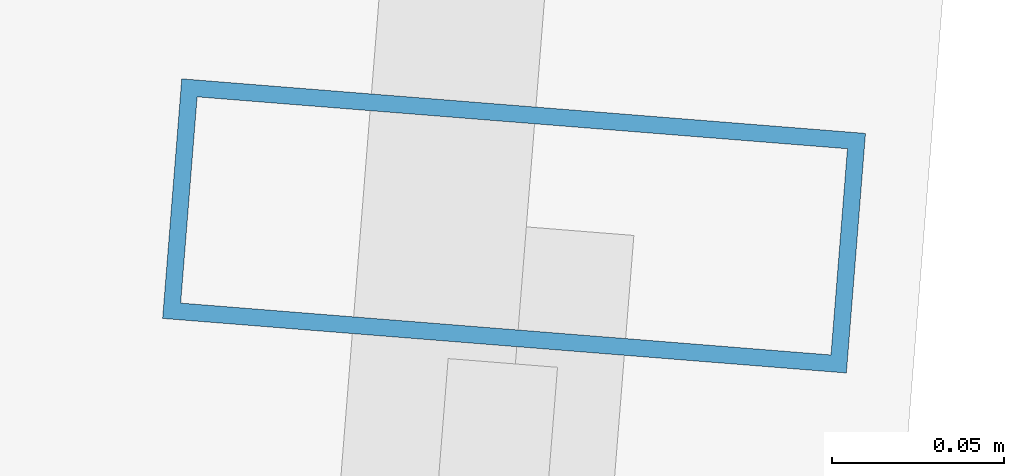
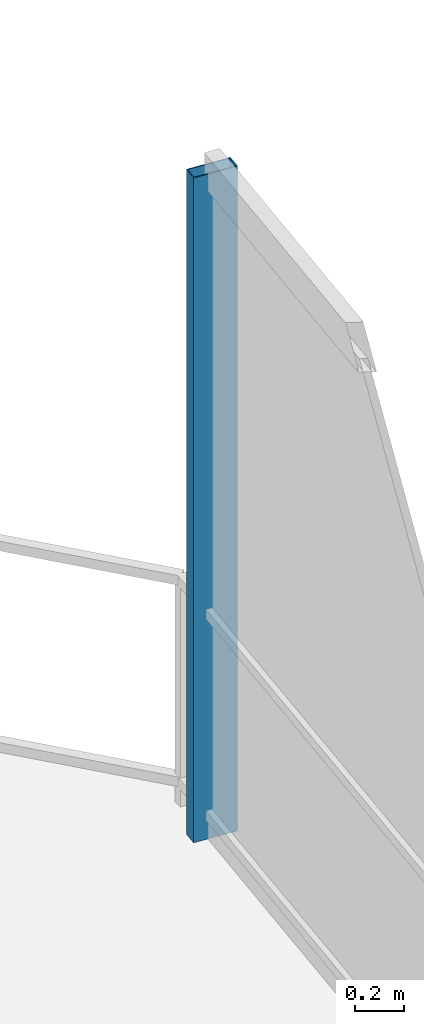
# One storey, part 15 of 21: 1 member, 1 element without a shape of its own.
"""IFC4 building model written with IfcOpenShell, lengths in metres."""

from ifc_helpers import new_model, si_unit, direction, frame, origin, origin_2d, place, context, subcontext, project, spatial, hollow_rectangle, extrude, material, layer, layer_set, material_profile, profile_set, type_object, element, aggregate, save


model = new_model("IFC4")

# Units and contexts
model_context = context("Model", 3, precision=1e-05, world=origin(), true_north=direction((0.0, 1.0)))
body_context = subcontext(model_context, "Body", "Model", "MODEL_VIEW")
ifc_project = project(units=[si_unit("LENGTHUNIT", "METRE"), si_unit("AREAUNIT", "SQUARE_METRE"), si_unit("VOLUMEUNIT", "CUBIC_METRE"), si_unit("PLANEANGLEUNIT", "RADIAN"), si_unit("MASSUNIT", "GRAM", prefix="KILO")], contexts=[model_context])

# Site, building, storey
site_placement = place(None, origin())
site = spatial("IfcSite", under=ifc_project, at=site_placement, CompositionType="ELEMENT")
building_placement = place(site_placement, origin())
building = spatial("IfcBuilding", under=site, at=building_placement, Name="Qarnah Convention Tower", CompositionType="ELEMENT")
storey_placement = place(building_placement, frame((0.0, 0.0, 161.699951171875)))
storey = spatial("IfcBuildingStorey", under=building, at=storey_placement, Name="L43", CompositionType="ELEMENT", Elevation=161.699951171875)

# Curtain wall, member
ifc_material_1 = material(Name="Tempered Low-E dark glass", Category="glass")
ifc_layer = layer(ifc_material_1, 0.172119140625)
ifc_layer_set = layer_set([ifc_layer], Name="Tempered Low-E dark glass")
curtain_wall_type = type_object("IfcCurtainWallType", Name="CWS-03", PredefinedType="NOTDEFINED", material=ifc_layer_set)
curtain_wall_placement = place(storey_placement, origin())
curtain_wall = element("IfcCurtainWall", 1, at=curtain_wall_placement, inside=storey, type_object=curtain_wall_type, Name="L43 unitised curtain wall CW-L43-F1", PredefinedType="NOTDEFINED")
ifc_material_2 = material(Name="Black anodised aluminium", Category="aluminium")
ifc_material_profile = material_profile(ifc_material_2, hollow_rectangle(XDim=0.070068359375, YDim=0.199951171875, WallThickness=0.0048828125, at=origin_2d()), Name="MUL-70X200")
ifc_profile_set = profile_set([ifc_material_profile], Name="Black anodised aluminium")
member_type = type_object("IfcMemberType", Name="MUL-T3", PredefinedType="MULLION", material=ifc_profile_set)
member_placement = place(storey_placement, frame((55.443115234375, 40.333984375, 0.0), z_axis=(0.0, 0.0, 1.0), x_axis=(-0.079547299857, -0.996831092556, 0.0)))
member = element("IfcMember", 2, at=member_placement, type_object=member_type, Name="CW-L43-F1 mullion 1", PredefinedType="MULLION", context=body_context, shape_type="SweptSolid", body=[
    extrude(hollow_rectangle(XDim=0.070068359375, YDim=0.199951171875, WallThickness=0.0048828125, at=origin_2d()), origin(), (0.0, 0.0, 1.0), 3.320068359375),
])
aggregate(curtain_wall, [member])

save(model, "model.ifc")
